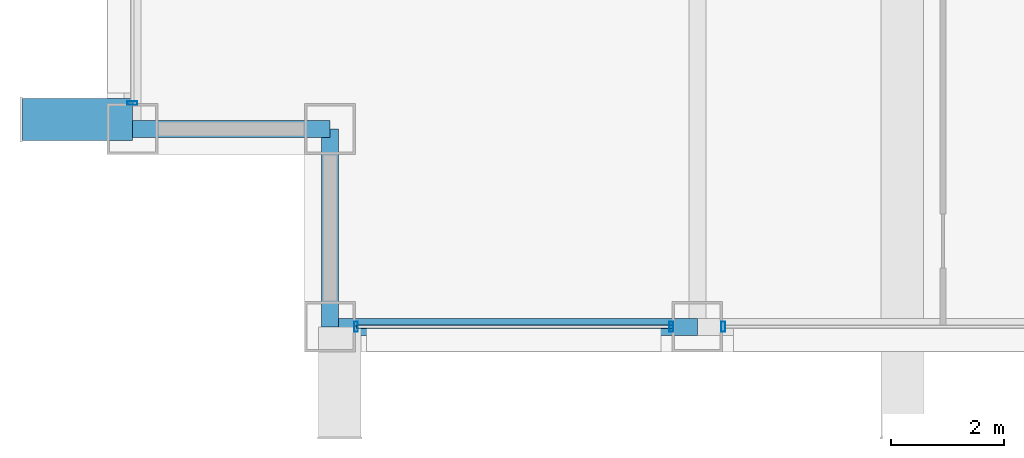
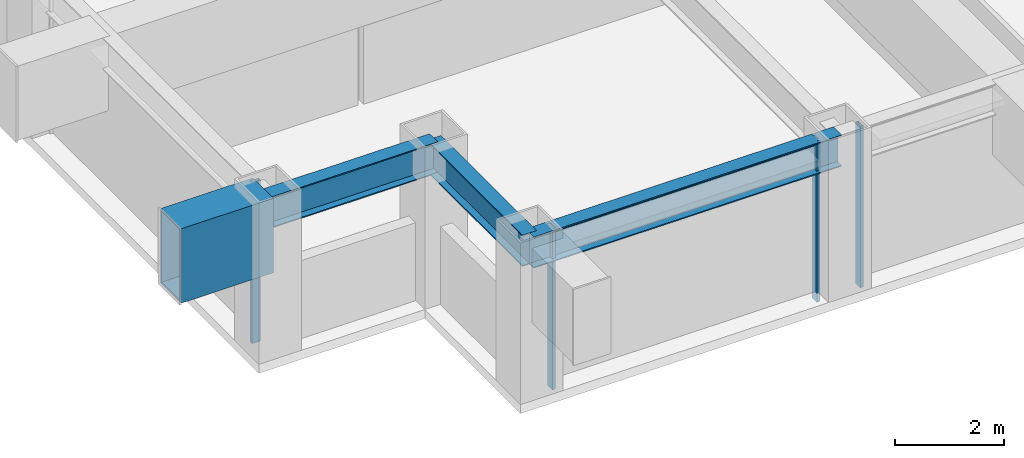
# One storey, part 2 of 29: 5 members, 4 beams, 3 elements without a shape of their own.
"""IFC4 building model written with IfcOpenShell, lengths in metres."""

from ifc_helpers import new_model, si_unit, direction, frame, origin, origin_2d, place, context, subcontext, project, spatial, hollow_rectangle, i_section, extrude, material, layer, layer_set, material_profile, profile_set, type_object, element, aggregate, save


model = new_model("IFC4")

# Units and contexts
model_context = context("Model", 3, precision=1e-05, world=origin(), true_north=direction((0.0, 1.0)))
body_context = subcontext(model_context, "Body", "Model", "MODEL_VIEW")
ifc_project = project(units=[si_unit("LENGTHUNIT", "METRE"), si_unit("AREAUNIT", "SQUARE_METRE"), si_unit("VOLUMEUNIT", "CUBIC_METRE"), si_unit("PLANEANGLEUNIT", "RADIAN"), si_unit("MASSUNIT", "GRAM", prefix="KILO")], contexts=[model_context])

# Site, building, storey
site_placement = place(None, origin())
site = spatial("IfcSite", under=ifc_project, at=site_placement, CompositionType="ELEMENT")
building_placement = place(site_placement, origin())
building = spatial("IfcBuilding", under=site, at=building_placement, Name="Brelmoor Portico Tower", CompositionType="ELEMENT")
storey_placement = place(building_placement, frame((0.0, 0.0, 52.800048828125)))
storey = spatial("IfcBuildingStorey", under=building, at=storey_placement, Name="L13", CompositionType="ELEMENT", Elevation=52.800048828125)

# Beams
ifc_material_1 = material(Name="Steel Q355B", Category="steel")
ifc_material_profile_1 = material_profile(ifc_material_1, hollow_rectangle(XDim=0.75, YDim=1.659912109375, WallThickness=0.0419921875, at=origin_2d()), Name="BOX 750x1660x42")
ifc_profile_set_1 = profile_set([ifc_material_profile_1], Name="Steel Q355B")
beam_type_1 = type_object("IfcBeamType", Name="BM-PF-CANT", PredefinedType="BEAM", material=ifc_profile_set_1)
beam_1_placement = place(storey_placement, frame((-26.5, -17.8798828125, 2.570068359375), z_axis=(1.0, 0.0, 0.0), x_axis=(0.0, 1.0, 0.0)))
element("IfcBeam", 1, at=beam_1_placement, inside=storey, type_object=beam_type_1, Name="L13 Picture-Frame Outrigger Transfer Cantilever PFB-01", PredefinedType="BEAM", context=body_context, shape_type="SweptSolid", body=[
    extrude(hollow_rectangle(XDim=0.75, YDim=1.659912109375, WallThickness=0.0419921875, at=origin_2d()), origin(), (0.0, 0.0, 1.0), 1.949951171875),
])
ifc_material_profile_2 = material_profile(ifc_material_1, i_section(OverallWidth=0.300048828125, OverallDepth=0.699951171875, WebThickness=0.012939453125, FlangeThickness=0.02392578125, at=origin_2d()), Name="HN 700x300x13x24")
ifc_profile_set_2 = profile_set([ifc_material_profile_2], Name="Steel Q355B")
beam_type_2 = type_object("IfcBeamType", Name="BM-SP-700", PredefinedType="SPANDREL", material=ifc_profile_set_2)
beam_2_placement = place(storey_placement, frame((-21.050048828125, -21.550048828125, 3.050048828125), z_axis=(1.0, 0.0, 0.0), x_axis=(0.0, 1.0, 0.0)))
element("IfcBeam", 2, at=beam_2_placement, inside=storey, type_object=beam_type_2, Name="L13 Perimeter Spandrel Beam SP-01", PredefinedType="SPANDREL", context=body_context, shape_type="SweptSolid", body=[
    extrude(i_section(OverallWidth=0.300048828125, OverallDepth=0.699951171875, WebThickness=0.012939453125, FlangeThickness=0.02392578125, at=origin_2d()), origin(), (0.0, 0.0, 1.0), 6.5),
])
for number, where, z_axis, x_axis, name in (
    (3, (-24.550048828125, -18.050048828125, 3.050048828125), (1.0, 0.0, 0.0), (0.0, 1.0, 0.0), "L13 Perimeter Spandrel Beam SP-06"),
    (4, (-21.050048828125, -21.550048828125, 3.050048828125), (0.0, 1.0, 0.0), (-1.0, 0.0, 0.0), "L13 Perimeter Spandrel Beam SP-18"),
):
    element("IfcBeam", number, at=place(storey_placement, frame(where, z_axis=z_axis, x_axis=x_axis)), inside=storey, type_object=beam_type_2, Name=name, PredefinedType="SPANDREL", context=body_context, shape_type="SweptSolid", body=[
        extrude(i_section(OverallWidth=0.300048828125, OverallDepth=0.699951171875, WebThickness=0.012939453125, FlangeThickness=0.02392578125, at=origin_2d()), origin(), (0.0, 0.0, 1.0), 3.5),
    ])

# Curtain wall, members
ifc_material_2 = material(Name="Anodised Aluminium Alloy 6063-T6", Category="aluminium")
ifc_layer = layer(ifc_material_2, 0.179931640625)
ifc_layer_set = layer_set([ifc_layer], Name="Anodised Aluminium Alloy 6063-T6")
curtain_wall_type = type_object("IfcCurtainWallType", Name="CW-TOWER-Z1-XB", PredefinedType="NOTDEFINED", material=ifc_layer_set)
curtain_wall_1_placement = place(storey_placement, origin())
curtain_wall_1 = element("IfcCurtainWall", 5, at=curtain_wall_1_placement, inside=storey, type_object=curtain_wall_type, Name="L13 Curtain Wall CW-L13-01-1", PredefinedType="NOTDEFINED")
ifc_material_profile_3 = material_profile(ifc_material_2, hollow_rectangle(XDim=0.06494140625, YDim=0.179931640625, WallThickness=0.00390625, at=origin_2d()), Name="ALU MULLION 65x180")
ifc_profile_set_3 = profile_set([ifc_material_profile_3], Name="Anodised Aluminium Alloy 6063-T6")
member_type_1 = type_object("IfcMemberType", Name="MB-CW-MULL-180", PredefinedType="MULLION", material=ifc_profile_set_3)
member_1_placement = place(storey_placement, frame((-20.590087890625, -21.550048828125, -0.199951171875), z_axis=(0.0, 0.0, 1.0), x_axis=(1.0, 0.0, 0.0)))
member_1 = element("IfcMember", 6, at=member_1_placement, type_object=member_type_1, Name="CW-L13-01-1 Mullion 00", PredefinedType="MULLION", context=body_context, shape_type="SweptSolid", body=[
    extrude(hollow_rectangle(XDim=0.06494140625, YDim=0.179931640625, WallThickness=0.00390625, at=origin_2d()), origin(), (0.0, 0.0, 1.0), 3.599853515625),
])
member_2_placement = place(storey_placement, frame((-15.010009765625, -21.550048828125, -0.199951171875), z_axis=(0.0, 0.0, 1.0), x_axis=(1.0, 0.0, 0.0)))
member_2 = element("IfcMember", 7, at=member_2_placement, type_object=member_type_1, Name="CW-L13-01-1 Mullion 01", PredefinedType="MULLION", context=body_context, shape_type="SweptSolid", body=[
    extrude(hollow_rectangle(XDim=0.06494140625, YDim=0.179931640625, WallThickness=0.00390625, at=origin_2d()), origin(), (0.0, 0.0, 1.0), 3.599853515625),
])

# Curtain wall, member
curtain_wall_2_placement = place(storey_placement, origin())
curtain_wall_2 = element("IfcCurtainWall", 8, at=curtain_wall_2_placement, inside=storey, type_object=curtain_wall_type, Name="L13 Curtain Wall CW-L13-01-2", PredefinedType="NOTDEFINED")
member_3_placement = place(storey_placement, frame((-14.090087890625, -21.550048828125, -0.199951171875), z_axis=(0.0, 0.0, 1.0), x_axis=(1.0, 0.0, 0.0)))
member_3 = element("IfcMember", 9, at=member_3_placement, type_object=member_type_1, Name="CW-L13-01-2 Mullion 00", PredefinedType="MULLION", context=body_context, shape_type="SweptSolid", body=[
    extrude(hollow_rectangle(XDim=0.06494140625, YDim=0.179931640625, WallThickness=0.00390625, at=origin_2d()), origin(), (0.0, 0.0, 1.0), 3.599853515625),
])
aggregate(curtain_wall_2, [member_3])

curtain_wall_3_placement = place(storey_placement, origin())
curtain_wall_3 = element("IfcCurtainWall", 10, at=curtain_wall_3_placement, inside=storey, type_object=curtain_wall_type, Name="L13 Curtain Wall CW-L13-03-1", PredefinedType="NOTDEFINED")
member_4_placement = place(storey_placement, frame((-24.550048828125, -17.590087890625, -0.199951171875), z_axis=(0.0, 0.0, 1.0), x_axis=(0.0, 1.0, 0.0)))
member_4 = element("IfcMember", 11, at=member_4_placement, type_object=member_type_1, Name="CW-L13-03-1 Mullion 00", PredefinedType="MULLION", context=body_context, shape_type="SweptSolid", body=[
    extrude(hollow_rectangle(XDim=0.06494140625, YDim=0.179931640625, WallThickness=0.00390625, at=origin_2d()), origin(), (0.0, 0.0, 1.0), 3.599853515625),
])
aggregate(curtain_wall_3, [member_4])

# Member
ifc_material_profile_4 = material_profile(ifc_material_2, hollow_rectangle(XDim=0.06494140625, YDim=0.139892578125, WallThickness=0.00390625, at=origin_2d()), Name="ALU TRANSOM 65x140")
ifc_profile_set_4 = profile_set([ifc_material_profile_4], Name="Anodised Aluminium Alloy 6063-T6")
member_type_2 = type_object("IfcMemberType", Name="MB-CW-TRAN-140", PredefinedType="USERDEFINED", material=ifc_profile_set_4)
member_5_placement = place(storey_placement, frame((-20.590087890625, -21.550048828125, 3.329833984375), z_axis=(1.0, 0.0, 0.0), x_axis=(0.0, 1.0, 0.0)))
member_5 = element("IfcMember", 12, at=member_5_placement, type_object=member_type_2, Name="CW-L13-01-1 Transom 1-00", ObjectType="TRANSOM", PredefinedType="USERDEFINED", context=body_context, shape_type="SweptSolid", body=[
    extrude(hollow_rectangle(XDim=0.06494140625, YDim=0.139892578125, WallThickness=0.00390625, at=origin_2d()), origin(), (0.0, 0.0, 1.0), 5.580078125),
])

aggregate(curtain_wall_1, [member_1, member_2, member_5])

save(model, "model.ifc")
